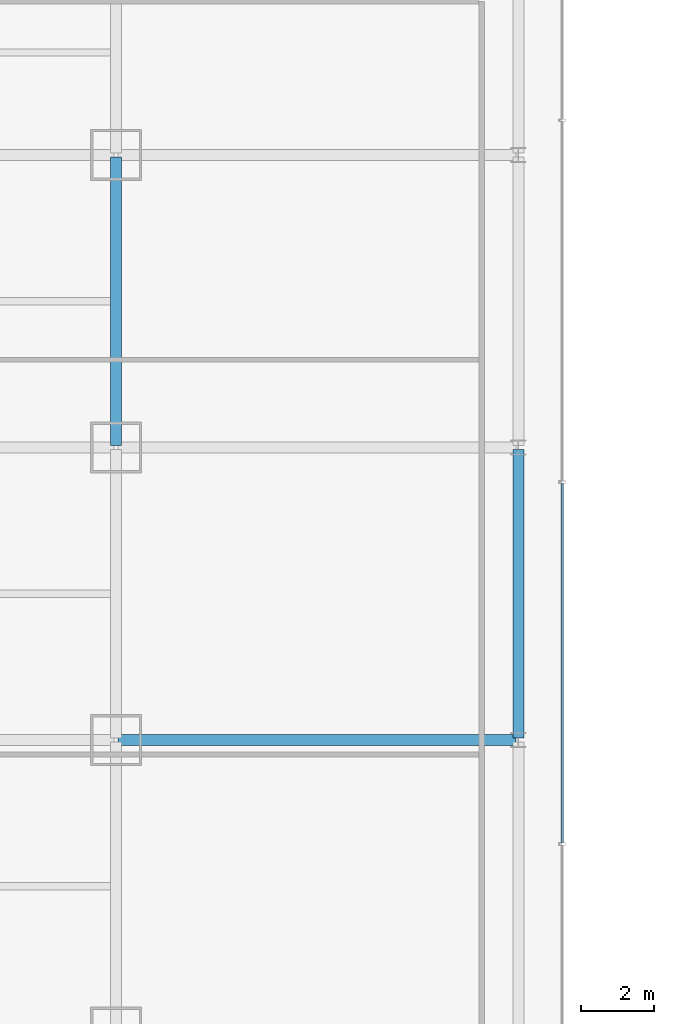
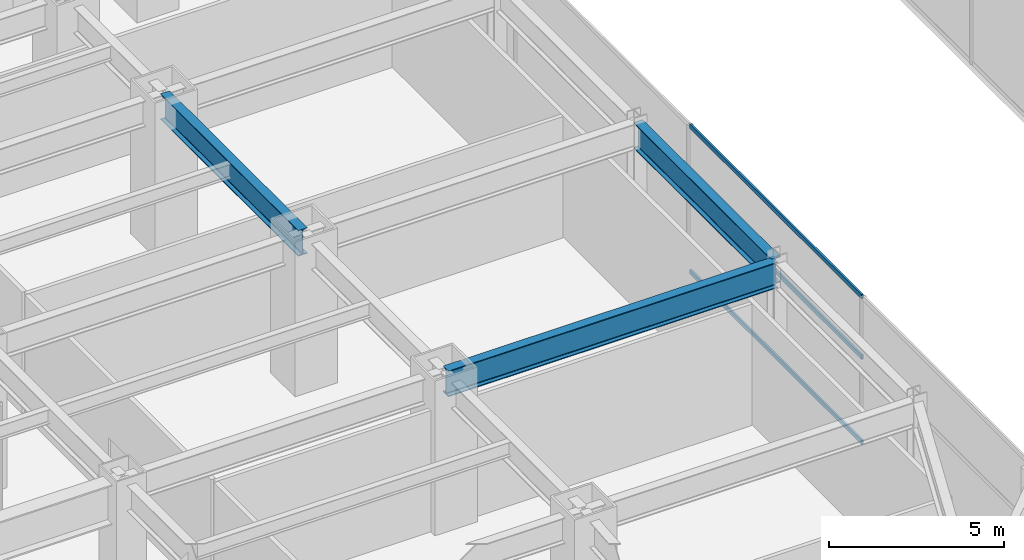
# One storey, part 21 of 53: 3 beams, 3 members, 1 element without a shape of its own.
"""IFC4 building model written with IfcOpenShell, lengths in metres."""

from ifc_helpers import new_model, si_unit, direction, frame, origin, origin_2d, place, context, subcontext, project, spatial, hollow_rectangle, i_section, extrude, material, material_profile, profile_set, type_object, element, aggregate, save


model = new_model("IFC4")

# Units and contexts
model_context = context("Model", 3, precision=1e-05, world=origin(), true_north=direction((0.0, 1.0)))
body_context = subcontext(model_context, "Body", "Model", "MODEL_VIEW")
ifc_project = project(units=[si_unit("LENGTHUNIT", "METRE"), si_unit("AREAUNIT", "SQUARE_METRE"), si_unit("VOLUMEUNIT", "CUBIC_METRE"), si_unit("PLANEANGLEUNIT", "RADIAN"), si_unit("MASSUNIT", "GRAM", prefix="KILO")], contexts=[model_context])

# Site, building, storey
site_placement = place(None, origin())
site = spatial("IfcSite", under=ifc_project, at=site_placement, CompositionType="ELEMENT")
building_placement = place(site_placement, origin())
building = spatial("IfcBuilding", under=site, at=building_placement, Name="Saevonmaru Cultural Tower", CompositionType="ELEMENT")
storey_placement = place(building_placement, frame((0.0, 0.0, 22.199951171875)))
storey = spatial("IfcBuildingStorey", under=building, at=storey_placement, Name="L04", CompositionType="ELEMENT", Elevation=22.199951171875)

# Beams
ifc_material_1 = material(Name="Steel SM420", Category="steel")
ifc_material_profile_1 = material_profile(ifc_material_1, i_section(OverallWidth=0.300048828125, OverallDepth=0.89990234375, WebThickness=0.01611328125, FlangeThickness=0.028076171875, FilletRadius=0.028076171875, at=origin_2d()), Name="H-900x300x16x28")
ifc_profile_set_1 = profile_set([ifc_material_profile_1], Name="Steel SM420")
beam_type = type_object("IfcBeamType", Name="BM-G-H900", PredefinedType="BEAM", material=ifc_profile_set_1)
beam_1_placement = place(storey_placement, frame((47.800048828125, 24.06005859375, 4.699951171875), z_axis=(0.0, 1.0, 0.0), x_axis=(-1.0, 0.0, 0.0)))
element("IfcBeam", 1, at=beam_1_placement, inside=storey, type_object=beam_type, Name="L04 Podium Girder NS4-4", PredefinedType="BEAM", context=body_context, shape_type="SweptSolid", body=[
    extrude(i_section(OverallWidth=0.300048828125, OverallDepth=0.89990234375, WebThickness=0.01611328125, FlangeThickness=0.028076171875, FilletRadius=0.028076171875, at=origin_2d()), origin(), (0.0, 0.0, 1.0), 7.8798828125),
])
beam_2_placement = place(storey_placement, frame((47.860107421875, 16.0, 4.699951171875), z_axis=(1.0, 0.0, 0.0), x_axis=(0.0, 1.0, 0.0)))
element("IfcBeam", 2, at=beam_2_placement, inside=storey, type_object=beam_type, Name="BM-POD-OE-2-L04", PredefinedType="BEAM", context=body_context, shape_type="SweptSolid", body=[
    extrude(i_section(OverallWidth=0.300048828125, OverallDepth=0.89990234375, WebThickness=0.01611328125, FlangeThickness=0.028076171875, FilletRadius=0.028076171875, at=origin_2d()), origin(), (0.0, 0.0, 1.0), 10.8798828125),
])
beam_3_placement = place(storey_placement, frame((58.800048828125, 16.06005859375, 4.699951171875), z_axis=(0.0, 1.0, 0.0), x_axis=(-1.0, 0.0, 0.0)))
element("IfcBeam", 3, at=beam_3_placement, inside=storey, type_object=beam_type, Name="BM-POD-PE-2-L04", PredefinedType="BEAM", context=body_context, shape_type="SweptSolid", body=[
    extrude(i_section(OverallWidth=0.300048828125, OverallDepth=0.89990234375, WebThickness=0.01611328125, FlangeThickness=0.028076171875, FilletRadius=0.028076171875, at=origin_2d()), origin(), (0.0, 0.0, 1.0), 7.8798828125),
])

# Curtain wall, members
ifc_material_2 = material(Name="Satin Bronze Anodised Aluminium", Category="aluminium")
curtain_wall_type = type_object("IfcCurtainWallType", Name="CW-POD-GLZ", PredefinedType="NOTDEFINED", material=ifc_material_2)
curtain_wall_placement = place(storey_placement, origin())
curtain_wall = element("IfcCurtainWall", 4, at=curtain_wall_placement, inside=storey, type_object=curtain_wall_type, Name="L04 Saevon Plaza Curtain Wall", PredefinedType="NOTDEFINED")
ifc_material_profile_2 = material_profile(ifc_material_2, hollow_rectangle(XDim=0.06494140625, YDim=0.14990234375, WallThickness=0.00390625, at=origin_2d()), Name="ALU-TRAN-150x65x4")
ifc_profile_set_2 = profile_set([ifc_material_profile_2], Name="Satin Bronze Anodised Aluminium")
member_type = type_object("IfcMemberType", Name="TR-CW-150x65", PredefinedType="USERDEFINED", material=ifc_profile_set_2)
member_1_placement = place(storey_placement, frame((60.0, 13.1884765625, 0.032470703125), z_axis=(0.0, 1.0, 0.0), x_axis=(-1.0, 0.0, 0.0)))
member_1 = element("IfcMember", 5, at=member_1_placement, type_object=member_type, Name="CW-POD-E-L04 transom 2.1", ObjectType="TRANSOM", PredefinedType="USERDEFINED", context=body_context, shape_type="SweptSolid", body=[
    extrude(hollow_rectangle(XDim=0.06494140625, YDim=0.14990234375, WallThickness=0.00390625, at=origin_2d()), origin(), (0.0, 0.0, 1.0), 9.8310546875),
])
member_2_placement = place(storey_placement, frame((60.0, 13.1884765625, 3.0), z_axis=(0.0, 1.0, 0.0), x_axis=(-1.0, 0.0, 0.0)))
member_2 = element("IfcMember", 6, at=member_2_placement, type_object=member_type, Name="CW-POD-E-L04 transom 2.2", ObjectType="TRANSOM", PredefinedType="USERDEFINED", context=body_context, shape_type="SweptSolid", body=[
    extrude(hollow_rectangle(XDim=0.06494140625, YDim=0.14990234375, WallThickness=0.00390625, at=origin_2d()), origin(), (0.0, 0.0, 1.0), 9.8310546875),
])
member_3_placement = place(storey_placement, frame((60.0, 13.1884765625, 5.117431640625), z_axis=(0.0, 1.0, 0.0), x_axis=(-1.0, 0.0, 0.0)))
member_3 = element("IfcMember", 7, at=member_3_placement, type_object=member_type, Name="CW-POD-E-L04 transom 2.3", ObjectType="TRANSOM", PredefinedType="USERDEFINED", context=body_context, shape_type="SweptSolid", body=[
    extrude(hollow_rectangle(XDim=0.06494140625, YDim=0.14990234375, WallThickness=0.00390625, at=origin_2d()), origin(), (0.0, 0.0, 1.0), 9.8310546875),
])
aggregate(curtain_wall, [member_1, member_2, member_3])

save(model, "model.ifc")
